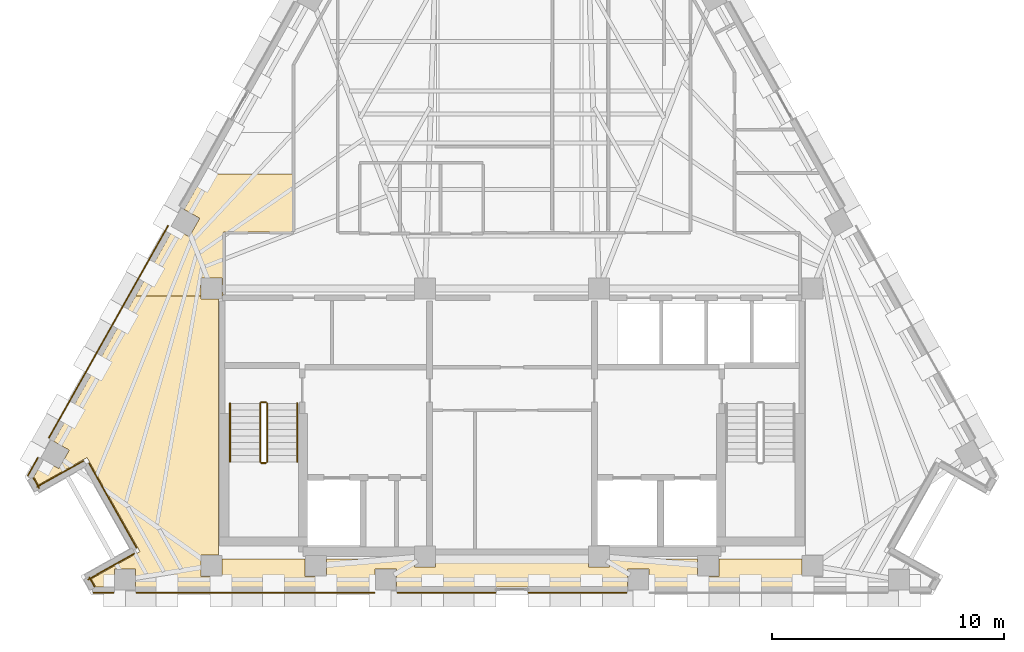
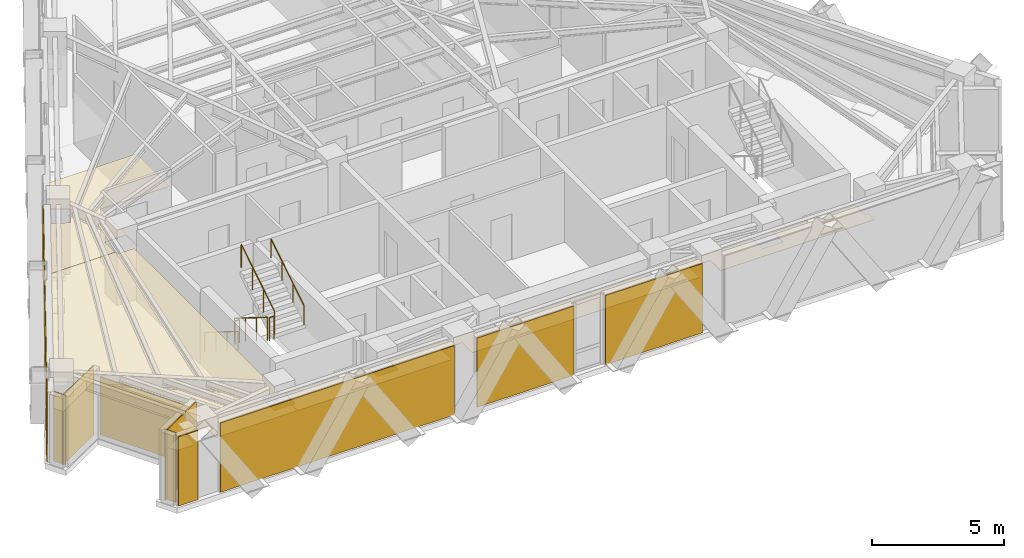
# One storey, part 10 of 13: 14 coverings, 6 railings.
"""IFC4 building model written with IfcOpenShell, lengths in metres."""

from ifc_helpers import new_model, si_unit, direction, frame, origin, origin_2d, place, context, subcontext, project, spatial, polyline, circle, outline, extrude, material, layer, layer_set, type_object, element, save


model = new_model("IFC4")

# Units and contexts
model_context = context("Model", 3, precision=1e-05, world=origin(), true_north=direction((0.0, 1.0)))
body_context = subcontext(model_context, "Body", "Model", "MODEL_VIEW")
ifc_project = project(units=[si_unit("LENGTHUNIT", "METRE"), si_unit("AREAUNIT", "SQUARE_METRE"), si_unit("VOLUMEUNIT", "CUBIC_METRE"), si_unit("PLANEANGLEUNIT", "RADIAN"), si_unit("MASSUNIT", "GRAM", prefix="KILO")], contexts=[model_context])

# Site, building, storey
site_placement = place(None, origin())
site = spatial("IfcSite", under=ifc_project, at=site_placement, CompositionType="ELEMENT")
building_placement = place(site_placement, origin())
building = spatial("IfcBuilding", under=site, at=building_placement, Name="Quenlor Broadcast Tower", CompositionType="ELEMENT")
storey_placement = place(building_placement, frame((0.0, 0.0, 207.89990234375)))
storey = spatial("IfcBuildingStorey", under=building, at=storey_placement, Name="L57", CompositionType="ELEMENT", Elevation=207.89990234375)

# Coverings
ifc_material_1 = material(Name="Acoustic Mineral Fibre Board", Category="other")
ifc_layer_1 = layer(ifc_material_1, 0.02490234375)
ifc_layer_set_1 = layer_set([ifc_layer_1], Name="Acoustic Perforated Mineral Tile Ceiling 25")
covering_type_1 = type_object("IfcCoveringType", Name="Acoustic Perforated Mineral Tile Ceiling 25", PredefinedType="CEILING", material=ifc_layer_set_1)
covering_1_placement = place(storey_placement, frame((0.0, 0.0, 2.375)))
element("IfcCovering", 1, at=covering_1_placement, inside=storey, type_object=covering_type_1, Name="L57 Acoustic Ceiling L57-31", PredefinedType="CEILING", context=body_context, shape_type="SweptSolid", body=[
    extrude(outline(polyline([(-14.572021484375, -2.199462890625), (-13.90283203125, -2.575927734375), (-13.45361328125, -1.777587890625), (-14.123046875, -1.401123046875), (-13.262451171875, 0.128662109375), (-9.43994140625, 0.128662109375), (-9.43994140625, -2.3701171875), (-12.43994140625, -2.3701171875), (-12.43994140625, -5.1201171875), (-12.491943359375, -5.1201171875), (-12.491943359375, -4.342041015625), (-13.407958984375, -4.342041015625), (-13.407958984375, -5.1201171875), (-16.21484375, -5.1201171875), (-14.572021484375, -2.199462890625)])), origin(), (0.0, 0.0, 1.0), 0.025146484375),
])
covering_2_placement = place(storey_placement, frame((0.0, 0.0, 2.375)))
element("IfcCovering", 2, at=covering_2_placement, inside=storey, type_object=covering_type_1, Name="L57 Acoustic Ceiling L57-31-3", PredefinedType="CEILING", context=body_context, shape_type="SweptSolid", body=[
    extrude(outline(polyline([(-20.597900390625, -12.912109375), (-20.191162109375, -12.18896484375), (-19.52197265625, -12.5654296875), (-19.07275390625, -11.76708984375), (-19.7421875, -11.390625), (-16.21484375, -5.1201171875), (-13.407958984375, -5.1201171875), (-13.407958984375, -5.258056640625), (-12.64990234375, -5.258056640625), (-12.64990234375, -16.2919921875), (-13.407958984375, -16.2919921875), (-13.407958984375, -17.2080078125), (-12.64990234375, -17.2080078125), (-12.64990234375, -17.659912109375), (-16.218017578125, -17.659912109375), (-16.218017578125, -16.89208984375), (-17.1337890625, -16.89208984375), (-17.1337890625, -17.659912109375), (-17.927001953125, -17.659912109375), (-18.120849609375, -17.315673828125), (-16.029052734375, -16.138916015625), (-18.30859375, -12.08642578125), (-20.400390625, -13.26318359375), (-20.597900390625, -12.912109375)])), origin(), (0.0, 0.0, 1.0), 0.025146484375),
])
covering_3_placement = place(storey_placement, frame((0.0, 0.0, 2.375)))
element("IfcCovering", 3, at=covering_3_placement, inside=storey, type_object=covering_type_1, Name="L57 Acoustic Ceiling L57-31-5", PredefinedType="CEILING", context=body_context, shape_type="SweptSolid", body=[
    extrude(outline(polyline([(-12.491943359375, -17.2080078125), (-12.491943359375, -16.449951171875), (-8.907958984375, -16.449951171875), (-8.907958984375, -17.2080078125), (-7.991943359375, -17.2080078125), (-7.991943359375, -16.449951171875), (-4.2080078125, -16.449951171875), (-4.2080078125, -16.80810546875), (-3.2919921875, -16.80810546875), (-3.2919921875, -16.449951171875), (3.2919921875, -16.449951171875), (3.2919921875, -16.80810546875), (4.2080078125, -16.80810546875), (4.2080078125, -16.449951171875), (7.991943359375, -16.449951171875), (7.991943359375, -17.2080078125), (8.907958984375, -17.2080078125), (8.907958984375, -16.449951171875), (12.491943359375, -16.449951171875), (12.491943359375, -17.2080078125), (12.64990234375, -17.2080078125), (12.64990234375, -17.659912109375), (5.895751953125, -17.659912109375), (5.895751953125, -16.89208984375), (4.979736328125, -16.89208984375), (4.979736328125, -17.659912109375), (-4.979736328125, -17.659912109375), (-4.979736328125, -16.89208984375), (-5.895751953125, -16.89208984375), (-5.895751953125, -17.659912109375), (-12.64990234375, -17.659912109375), (-12.64990234375, -17.2080078125), (-12.491943359375, -17.2080078125)])), origin(), (0.0, 0.0, 1.0), 0.025146484375),
])
ifc_material_2 = material(Name="Architectural Terracotta Ceramic", Category="masonry")
ifc_layer_2 = layer(ifc_material_2, 0.044921875)
ifc_layer_set_2 = layer_set([ifc_layer_2], Name="Fluted Terracotta Rainscreen Cladding Panel")
covering_type_2 = type_object("IfcCoveringType", Name="Fluted Terracotta Rainscreen Cladding Panel", PredefinedType="CLADDING", material=ifc_layer_set_2)
covering_4_placement = place(storey_placement, frame((0.0, 0.0, 0.02001953125)))
element("IfcCovering", 4, at=covering_4_placement, inside=storey, type_object=covering_type_2, Name="L57 Terracotta Rainscreen Cladding L57-SHD-SS1", PredefinedType="CLADDING", context=body_context, shape_type="SweptSolid", body=[
    extrude(outline(polyline([(-17.160888671875, -17.886962890625), (-18.035888671875, -17.886962890625), (-18.035888671875, -17.931884765625), (-17.160888671875, -17.931884765625), (-17.160888671875, -17.886962890625)])), origin(), (0.0, 0.0, 1.0), 3.2099609375),
])
covering_5_placement = place(storey_placement, frame((0.0, 0.0, 0.02001953125)))
element("IfcCovering", 5, at=covering_5_placement, inside=storey, type_object=covering_type_2, Name="L57 Terracotta Rainscreen Cladding L57-EW-SC", PredefinedType="CLADDING", context=body_context, shape_type="SweptSolid", body=[
    extrude(outline(polyline([(-5.9228515625, -17.89697265625), (-16.19091796875, -17.89697265625), (-16.19091796875, -17.94189453125), (-5.9228515625, -17.94189453125), (-5.9228515625, -17.89697265625)])), origin(), (0.0, 0.0, 1.0), 3.2099609375),
])
covering_6_placement = place(storey_placement, frame((0.0, 0.0, 0.02001953125)))
element("IfcCovering", 6, at=covering_6_placement, inside=storey, type_object=covering_type_2, Name="L57 Terracotta Rainscreen Cladding L57-S-SP1", PredefinedType="CLADDING", context=body_context, shape_type="SweptSolid", body=[
    extrude(outline(polyline([(4.937744140625, -17.89697265625), (0.6923828125, -17.89697265625), (0.6923828125, -17.94189453125), (4.937744140625, -17.94189453125), (4.937744140625, -17.89697265625)])), origin(), (0.0, 0.0, 1.0), 3.2099609375),
])
covering_7_placement = place(storey_placement, frame((0.0, 0.0, 0.02001953125)))
element("IfcCovering", 7, at=covering_7_placement, inside=storey, type_object=covering_type_2, Name="L57 Terracotta Rainscreen Cladding L57-S-SP2", PredefinedType="CLADDING", context=body_context, shape_type="SweptSolid", body=[
    extrude(outline(polyline([(-0.6923828125, -17.89697265625), (-4.937744140625, -17.89697265625), (-4.937744140625, -17.94189453125), (-0.6923828125, -17.94189453125), (-0.6923828125, -17.89697265625)])), origin(), (0.0, 0.0, 1.0), 3.2099609375),
])
covering_8_placement = place(storey_placement, frame((0.0, 0.0, 0.02001953125)))
element("IfcCovering", 8, at=covering_8_placement, inside=storey, type_object=covering_type_2, Name="L57 Terracotta Rainscreen Cladding L57-SHD-NWS0", PredefinedType="CLADDING", context=body_context, shape_type="SweptSolid", body=[
    extrude(outline(polyline([(-20.845458984375, -12.888916015625), (-20.402099609375, -12.10107421875), (-20.44140625, -12.0791015625), (-20.884521484375, -12.866943359375), (-20.845458984375, -12.888916015625)])), origin(), (0.0, 0.0, 1.0), 3.2099609375),
])
covering_9_placement = place(storey_placement, frame((0.0, 0.0, 0.02001953125)))
element("IfcCovering", 9, at=covering_9_placement, inside=storey, type_object=covering_type_2, Name="L57 Terracotta Rainscreen Cladding L57-EW-NWA", PredefinedType="CLADDING", context=body_context, shape_type="SweptSolid", body=[
    extrude(outline(polyline([(-19.935302734375, -11.250732421875), (-14.7919921875, -2.106689453125), (-14.831298828125, -2.084716796875), (-19.974609375, -11.228759765625), (-19.935302734375, -11.250732421875)])), origin(), (0.0, 0.0, 1.0), 3.2099609375),
])
covering_10_placement = place(storey_placement, frame((0.0, 0.0, 0.02001953125)))
element("IfcCovering", 10, at=covering_10_placement, inside=storey, type_object=covering_type_2, Name="L57 Terracotta Rainscreen Cladding L57-CNR-12", PredefinedType="CLADDING", context=body_context, shape_type="SweptSolid", body=[
    extrude(outline(polyline([(-20.64306640625, -12.970458984375), (-20.38623046875, -13.427001953125), (-20.346923828125, -13.405029296875), (-20.60400390625, -12.948486328125), (-20.64306640625, -12.970458984375)])), origin(), (0.0, 0.0, 1.0), 3.2099609375),
])
covering_11_placement = place(storey_placement, frame((0.0, 0.0, 0.02001953125)))
element("IfcCovering", 11, at=covering_11_placement, inside=storey, type_object=covering_type_2, Name="L57 Terracotta Rainscreen Cladding L57-CNR-13", PredefinedType="CLADDING", context=body_context, shape_type="SweptSolid", body=[
    extrude(outline(polyline([(-20.462890625, -13.376220703125), (-18.45849609375, -12.248779296875), (-18.48046875, -12.20947265625), (-20.485107421875, -13.337158203125), (-20.462890625, -13.376220703125)])), origin(), (0.0, 0.0, 1.0), 3.2099609375),
])
covering_12_placement = place(storey_placement, frame((0.0, 0.0, 0.02001953125)))
element("IfcCovering", 12, at=covering_12_placement, inside=storey, type_object=covering_type_2, Name="L57 Terracotta Rainscreen Cladding L57-CNR-14", PredefinedType="CLADDING", context=body_context, shape_type="SweptSolid", body=[
    extrude(outline(polyline([(-18.245361328125, -12.337646484375), (-16.19140625, -15.9892578125), (-16.152099609375, -15.96728515625), (-18.206298828125, -12.315673828125), (-18.245361328125, -12.337646484375)])), origin(), (0.0, 0.0, 1.0), 2.681884765625),
])
covering_13_placement = place(storey_placement, frame((0.0, 0.0, 0.02001953125)))
element("IfcCovering", 13, at=covering_13_placement, inside=storey, type_object=covering_type_2, Name="L57 Terracotta Rainscreen Cladding L57-CNR-15", PredefinedType="CLADDING", context=body_context, shape_type="SweptSolid", body=[
    extrude(outline(polyline([(-16.2802734375, -16.2021484375), (-18.284912109375, -17.329833984375), (-18.262939453125, -17.368896484375), (-16.25830078125, -16.241455078125), (-16.2802734375, -16.2021484375)])), origin(), (0.0, 0.0, 1.0), 3.2099609375),
])
covering_14_placement = place(storey_placement, frame((0.0, 0.0, 0.02001953125)))
element("IfcCovering", 14, at=covering_14_placement, inside=storey, type_object=covering_type_2, Name="L57 Terracotta Rainscreen Cladding L57-CNR-16", PredefinedType="CLADDING", context=body_context, shape_type="SweptSolid", body=[
    extrude(outline(polyline([(-18.234130859375, -17.2529296875), (-17.99853515625, -17.671875), (-17.959228515625, -17.64990234375), (-18.19482421875, -17.23095703125), (-18.234130859375, -17.2529296875)])), origin(), (0.0, 0.0, 1.0), 3.2099609375),
])

# Railings
ifc_material_3 = material(Name="Anodised Aluminium", Category="aluminium")
railing_type_1 = type_object("IfcRailingType", Name="Stainless Aluminium Wall Handrail 900", PredefinedType="HANDRAIL", material=ifc_material_3)
railing_1_placement = place(storey_placement, frame((-12.14990234375, -9.75, 0.175048828125)))
element("IfcRailing", 15, at=railing_1_placement, inside=storey, type_object=railing_type_1, Name="L57 ST-1 stair handrail 1", PredefinedType="HANDRAIL", context=body_context, shape_type="SweptSolid", body=[
    extrude(circle(Radius=0.02392578125, at=origin_2d()), frame((0.0, 0.0, 0.8759765625), z_axis=(0.0, -0.848007534815, 0.529984170421), x_axis=(1.0, 0.0, 0.0)), (0.0, 0.0, 1.0), 2.9716796875),
    extrude(circle(Radius=0.02099609375, at=origin_2d()), origin(), (0.0, 0.0, 1.0), 0.851806640625),
    extrude(circle(Radius=0.02099609375, at=origin_2d()), frame((0.0, -0.840087890625, 0.52490234375)), (0.0, 0.0, 1.0), 0.851806640625),
    extrude(circle(Radius=0.02099609375, at=origin_2d()), frame((0.0, -1.679931640625, 1.050048828125)), (0.0, 0.0, 1.0), 0.851806640625),
    extrude(circle(Radius=0.02099609375, at=origin_2d()), frame((0.0, -2.52001953125, 1.574951171875)), (0.0, 0.0, 1.0), 0.851806640625),
])
railing_2_placement = place(storey_placement, frame((-9.25, -12.27001953125, 1.925048828125)))
element("IfcRailing", 16, at=railing_2_placement, inside=storey, type_object=railing_type_1, Name="L57 ST-1 stair handrail 2", PredefinedType="HANDRAIL", context=body_context, shape_type="SweptSolid", body=[
    extrude(circle(Radius=0.02392578125, at=origin_2d()), frame((0.0, 0.0, 0.8759765625), z_axis=(0.0, 0.848007534815, 0.529984170421), x_axis=(-1.0, 0.0, 0.0)), (0.0, 0.0, 1.0), 2.9716796875),
    extrude(circle(Radius=0.02099609375, at=origin_2d()), origin(), (0.0, 0.0, 1.0), 0.851806640625),
    extrude(circle(Radius=0.02099609375, at=origin_2d()), frame((0.0, 0.840087890625, 0.52490234375)), (0.0, 0.0, 1.0), 0.851806640625),
    extrude(circle(Radius=0.02099609375, at=origin_2d()), frame((0.0, 1.679931640625, 1.050048828125)), (0.0, 0.0, 1.0), 0.851806640625),
    extrude(circle(Radius=0.02099609375, at=origin_2d()), frame((0.0, 2.52001953125, 1.574951171875)), (0.0, 0.0, 1.0), 0.851806640625),
])
ifc_material_4 = material(Name="Steel S355", Category="steel")
railing_type_2 = type_object("IfcRailingType", Name="Tubular Steel S355 Stair Guardrail 1100", PredefinedType="BALUSTRADE", material=ifc_material_4)
railing_3_placement = place(storey_placement, frame((-10.85009765625, -9.75, 0.175048828125)))
element("IfcRailing", 17, at=railing_3_placement, inside=storey, type_object=railing_type_2, Name="L57 ST-1 stair guard 1", PredefinedType="BALUSTRADE", context=body_context, shape_type="SweptSolid", body=[
    extrude(circle(Radius=0.02392578125, at=origin_2d()), frame((0.0, 0.0, 1.076171875), z_axis=(0.0, -0.848007534815, 0.529984170421), x_axis=(1.0, 0.0, 0.0)), (0.0, 0.0, 1.0), 2.9716796875),
    extrude(circle(Radius=0.02099609375, at=origin_2d()), origin(), (0.0, 0.0, 1.0), 1.052001953125),
    extrude(circle(Radius=0.02099609375, at=origin_2d()), frame((0.0, -0.840087890625, 0.52490234375)), (0.0, 0.0, 1.0), 1.052001953125),
    extrude(circle(Radius=0.02099609375, at=origin_2d()), frame((0.0, -1.679931640625, 1.050048828125)), (0.0, 0.0, 1.0), 1.052001953125),
    extrude(circle(Radius=0.02099609375, at=origin_2d()), frame((0.0, -2.52001953125, 1.574951171875)), (0.0, 0.0, 1.0), 1.052001953125),
])
railing_4_placement = place(storey_placement, frame((-10.800048828125, -12.320068359375, 1.75)))
element("IfcRailing", 18, at=railing_4_placement, inside=storey, type_object=railing_type_2, Name="L57 ST-1 stair guard 2", PredefinedType="BALUSTRADE", context=body_context, shape_type="SweptSolid", body=[
    extrude(circle(Radius=0.02392578125, at=origin_2d()), frame((0.0, 0.0, 1.076171875), z_axis=(1.0, 0.0, 0.0), x_axis=(0.0, 1.0, 0.0)), (0.0, 0.0, 1.0), 0.199951171875),
    extrude(circle(Radius=0.02099609375, at=origin_2d()), origin(), (0.0, 0.0, 1.0), 1.052001953125),
    extrude(circle(Radius=0.02099609375, at=origin_2d()), frame((0.199951171875, 0.0, 0.0)), (0.0, 0.0, 1.0), 1.052001953125),
])
railing_5_placement = place(storey_placement, frame((-10.550048828125, -12.27001953125, 1.925048828125)))
element("IfcRailing", 19, at=railing_5_placement, inside=storey, type_object=railing_type_2, Name="L57 ST-1 stair guard 3", PredefinedType="BALUSTRADE", context=body_context, shape_type="SweptSolid", body=[
    extrude(circle(Radius=0.02392578125, at=origin_2d()), frame((0.0, 0.0, 1.076171875), z_axis=(0.0, 0.848007534815, 0.529984170421), x_axis=(-1.0, 0.0, 0.0)), (0.0, 0.0, 1.0), 2.9716796875),
    extrude(circle(Radius=0.02099609375, at=origin_2d()), origin(), (0.0, 0.0, 1.0), 1.052001953125),
    extrude(circle(Radius=0.02099609375, at=origin_2d()), frame((0.0, 0.840087890625, 0.52490234375)), (0.0, 0.0, 1.0), 1.052001953125),
    extrude(circle(Radius=0.02099609375, at=origin_2d()), frame((0.0, 1.679931640625, 1.050048828125)), (0.0, 0.0, 1.0), 1.052001953125),
    extrude(circle(Radius=0.02099609375, at=origin_2d()), frame((0.0, 2.52001953125, 1.574951171875)), (0.0, 0.0, 1.0), 1.052001953125),
])
railing_6_placement = place(storey_placement, frame((-10.800048828125, -9.699951171875, 0.0)))
element("IfcRailing", 20, at=railing_6_placement, inside=storey, type_object=railing_type_2, Name="L57 ST-1 stair guard 4", PredefinedType="BALUSTRADE", context=body_context, shape_type="SweptSolid", body=[
    extrude(circle(Radius=0.02392578125, at=origin_2d()), frame((0.0, 0.0, 1.076171875), z_axis=(1.0, 0.0, 0.0), x_axis=(0.0, 1.0, 0.0)), (0.0, 0.0, 1.0), 0.199951171875),
    extrude(circle(Radius=0.02099609375, at=origin_2d()), origin(), (0.0, 0.0, 1.0), 1.052001953125),
    extrude(circle(Radius=0.02099609375, at=origin_2d()), frame((0.199951171875, 0.0, 0.0)), (0.0, 0.0, 1.0), 1.052001953125),
])

save(model, "model.ifc")
